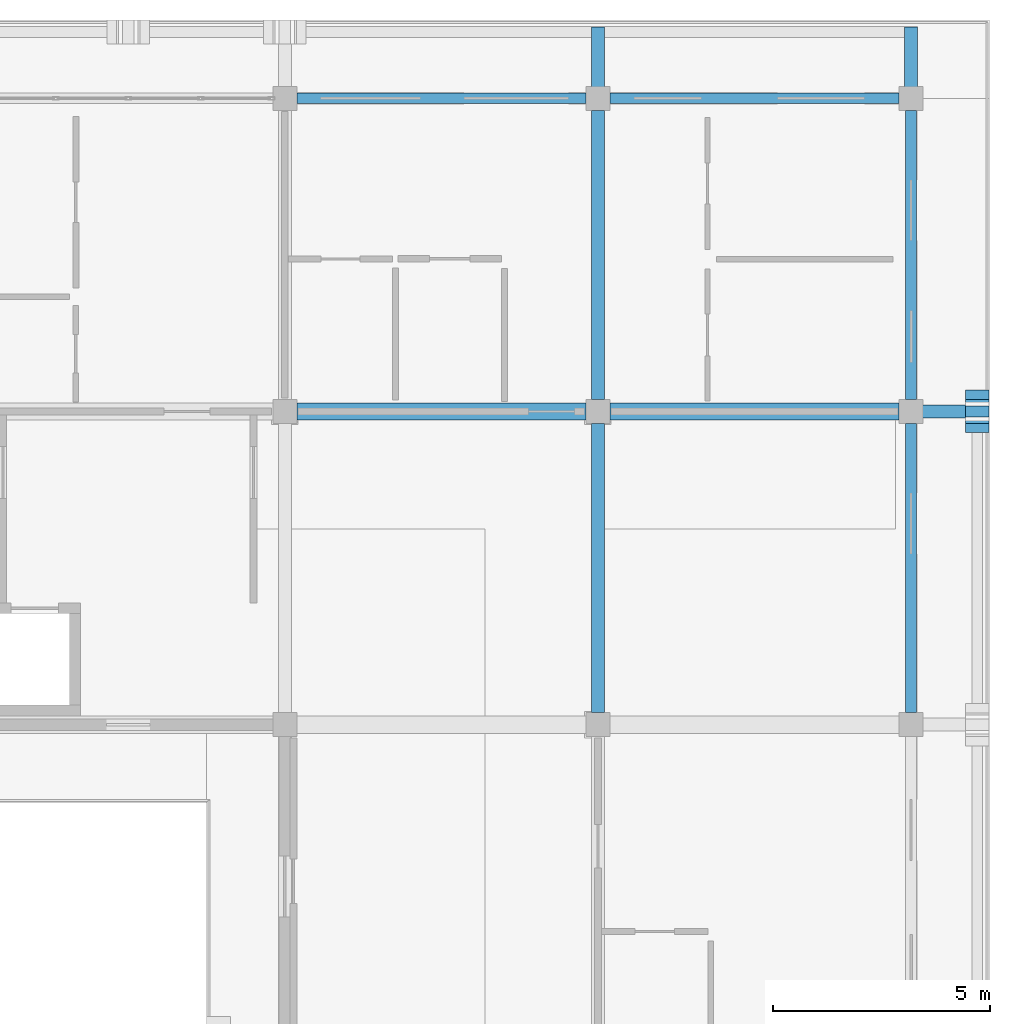
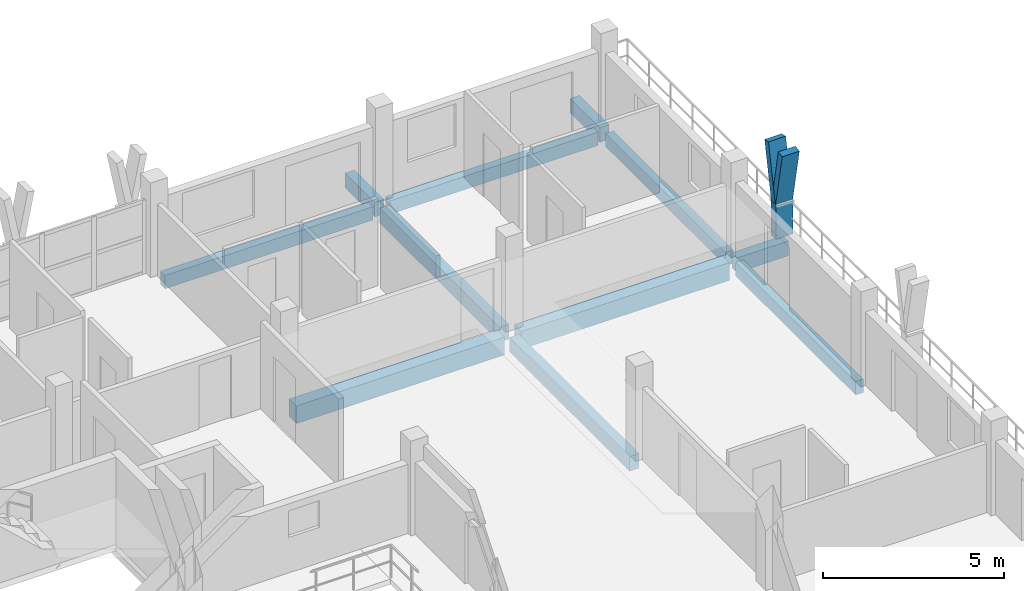
# One storey, part 28 of 65: 11 beams, 3 members.
"""IFC4 building model written with IfcOpenShell, lengths in metres."""

from ifc_helpers import new_model, si_unit, direction, frame, origin, origin_2d, place, context, subcontext, project, spatial, rectangle, extrude, material, material_profile, profile_set, type_object, element, save


model = new_model("IFC4")

# Units and contexts
model_context = context("Model", 3, precision=1e-05, world=origin(), true_north=direction((0.0, 1.0)))
body_context = subcontext(model_context, "Body", "Model", "MODEL_VIEW")
ifc_project = project(units=[si_unit("LENGTHUNIT", "METRE"), si_unit("AREAUNIT", "SQUARE_METRE"), si_unit("VOLUMEUNIT", "CUBIC_METRE"), si_unit("PLANEANGLEUNIT", "RADIAN"), si_unit("MASSUNIT", "GRAM", prefix="KILO")], contexts=[model_context])

# Site, building, storey
site_placement = place(None, origin())
site = spatial("IfcSite", under=ifc_project, at=site_placement, CompositionType="ELEMENT")
building_placement = place(site_placement, origin())
building = spatial("IfcBuilding", under=site, at=building_placement, Name="Suanplinth Sawtooth Commons", CompositionType="ELEMENT")
storey_placement = place(building_placement, frame((0.0, 0.0, 28.300048828125)))
storey = spatial("IfcBuildingStorey", under=building, at=storey_placement, Name="L08", CompositionType="ELEMENT", Elevation=28.300048828125)

# Beams
ifc_material_1 = material(Name="Precast concrete C40/50", Category="concrete")
ifc_material_profile_1 = material_profile(ifc_material_1, rectangle(XDim=0.39990234375, YDim=0.60009765625, at=origin_2d()), Name="PC-GDR 400x600")
ifc_profile_set_1 = profile_set([ifc_material_profile_1], Name="Precast concrete C40/50")
beam_type_1 = type_object("IfcBeamType", Name="B-05", PredefinedType="USERDEFINED", material=ifc_profile_set_1)
for number, where, z_axis, x_axis, name in (
    (1, (173.074951171875, 115.199951171875, -0.510009765625), (1.0, 0.0, 0.0), (0.0, 1.0, 0.0), "BMX-L08-B-24-16"),
    (2, (180.27490234375, 115.199951171875, -0.510009765625), (1.0, 0.0, 0.0), (0.0, 1.0, 0.0), "BMX-L08-B-25-16"),
):
    element("IfcBeam", number, at=place(storey_placement, frame(where, z_axis=z_axis, x_axis=x_axis)), inside=storey, type_object=beam_type_1, Name=name, ObjectType="GIRDER", PredefinedType="USERDEFINED", context=body_context, shape_type="SweptSolid", body=[
        extrude(rectangle(XDim=0.39990234375, YDim=0.60009765625, at=origin_2d()), origin(), (0.0, 0.0, 1.0), 6.650146484375),
    ])
ifc_material_profile_2 = material_profile(ifc_material_1, rectangle(XDim=0.300048828125, YDim=0.5, at=origin_2d()), Name="PC-BM 300x500")
ifc_profile_set_2 = profile_set([ifc_material_profile_2], Name="Precast concrete C40/50")
beam_type_2 = type_object("IfcBeamType", Name="B-07", PredefinedType="BEAM", material=ifc_profile_set_2)
beam_1_placement = place(storey_placement, frame((180.0, 108.27490234375, -0.4599609375), z_axis=(0.0, 1.0, 0.0), x_axis=(-1.0, 0.0, 0.0)))
element("IfcBeam", 3, at=beam_1_placement, inside=storey, type_object=beam_type_2, Name="BMY-L08-B-25-15", PredefinedType="BEAM", context=body_context, shape_type="SweptSolid", body=[
    extrude(rectangle(XDim=0.300048828125, YDim=0.5, at=origin_2d()), origin(), (0.0, 0.0, 1.0), 6.650146484375),
])
beam_2_placement = place(storey_placement, frame((180.0, 115.47509765625, -0.4599609375), z_axis=(0.0, 1.0, 0.0), x_axis=(-1.0, 0.0, 0.0)))
element("IfcBeam", 4, at=beam_2_placement, inside=storey, type_object=beam_type_2, Name="BMY-L08-B-25-16", PredefinedType="BEAM", context=body_context, shape_type="SweptSolid", body=[
    extrude(rectangle(XDim=0.300048828125, YDim=0.5, at=origin_2d()), origin(), (0.0, 0.0, 1.0), 6.64990234375),
])
for number, where, z_axis, x_axis, name in (
    (5, (180.0, 122.39990234375, -0.429931640625), (0.0, 1.0, 0.0), (-1.0, 0.0, 0.0), "Balcony Outrigger L08-B-N-25"),
    (6, (187.199951171875, 122.39990234375, -0.429931640625), (0.0, 1.0, 0.0), (-1.0, 0.0, 0.0), "Balcony Outrigger L08-B-N-26"),
    (7, (187.199951171875, 115.199951171875, -0.429931640625), (1.0, 0.0, 0.0), (0.0, 1.0, 0.0), "Balcony Outrigger L08-B-E-16"),
):
    element("IfcBeam", number, at=place(storey_placement, frame(where, z_axis=z_axis, x_axis=x_axis)), inside=storey, type_object=beam_type_2, Name=name, PredefinedType="BEAM", context=body_context, shape_type="SweptSolid", body=[
        extrude(rectangle(XDim=0.300048828125, YDim=0.5, at=origin_2d()), origin(), (0.0, 0.0, 1.0), 1.64013671875),
    ])
ifc_material_profile_3 = material_profile(ifc_material_1, rectangle(XDim=0.25, YDim=0.449951171875, at=origin_2d()), Name="PC-SP 250x450")
ifc_profile_set_3 = profile_set([ifc_material_profile_3], Name="Precast concrete C40/50")
beam_type_3 = type_object("IfcBeamType", Name="B-09", PredefinedType="SPANDREL", material=ifc_profile_set_3)
for number, where, z_axis, x_axis, name in (
    (8, (173.074951171875, 122.39990234375, -0.43505859375), (1.0, 0.0, 0.0), (0.0, 1.0, 0.0), "BMX-L08-B-24-17"),
    (9, (180.27490234375, 122.39990234375, -0.43505859375), (1.0, 0.0, 0.0), (0.0, 1.0, 0.0), "BMX-L08-B-25-17"),
    (10, (187.199951171875, 108.27490234375, -0.43505859375), (0.0, 1.0, 0.0), (-1.0, 0.0, 0.0), "BMY-L08-B-26-15"),
):
    element("IfcBeam", number, at=place(storey_placement, frame(where, z_axis=z_axis, x_axis=x_axis)), inside=storey, type_object=beam_type_3, Name=name, PredefinedType="SPANDREL", context=body_context, shape_type="SweptSolid", body=[
        extrude(rectangle(XDim=0.25, YDim=0.449951171875, at=origin_2d()), origin(), (0.0, 0.0, 1.0), 6.650146484375),
    ])
beam_3_placement = place(storey_placement, frame((187.199951171875, 115.47509765625, -0.43505859375), z_axis=(0.0, 1.0, 0.0), x_axis=(-1.0, 0.0, 0.0)))
element("IfcBeam", 11, at=beam_3_placement, inside=storey, type_object=beam_type_3, Name="BMY-L08-B-26-16", PredefinedType="SPANDREL", context=body_context, shape_type="SweptSolid", body=[
    extrude(rectangle(XDim=0.25, YDim=0.449951171875, at=origin_2d()), origin(), (0.0, 0.0, 1.0), 6.64990234375),
])

# Members
ifc_material_2 = material(Name="Pigmented precast concrete C40/50", Category="concrete")
ifc_material_profile_4 = material_profile(ifc_material_2, rectangle(XDim=0.260009765625, YDim=0.550048828125, at=origin_2d()), Name="PC-FIN 260x550")
ifc_profile_set_4 = profile_set([ifc_material_profile_4], Name="Pigmented precast concrete C40/50")
member_type_1 = type_object("IfcMemberType", Name="M-09", PredefinedType="USERDEFINED", material=ifc_profile_set_4)
member_1_placement = place(storey_placement, frame((188.719970703125, 115.199951171875, 0.0), z_axis=(0.0, 0.0, 1.0), x_axis=(0.0, 1.0, 0.0)))
element("IfcMember", 12, at=member_1_placement, inside=storey, type_object=member_type_1, Name="Y-Blade Stem L08-B-E-09", ObjectType="SHADING FIN", PredefinedType="USERDEFINED", context=body_context, shape_type="SweptSolid", body=[
    extrude(rectangle(XDim=0.260009765625, YDim=0.550048828125, at=origin_2d()), origin(), (0.0, 0.0, 1.0), 1.169921875),
])
ifc_material_profile_5 = material_profile(ifc_material_2, rectangle(XDim=0.219970703125, YDim=0.550048828125, at=origin_2d()), Name="PC-FIN 220x550")
ifc_profile_set_5 = profile_set([ifc_material_profile_5], Name="Pigmented precast concrete C40/50")
member_type_2 = type_object("IfcMemberType", Name="M-10", PredefinedType="USERDEFINED", material=ifc_profile_set_5)
member_2_placement = place(storey_placement, frame((188.719970703125, 115.199951171875, 1.1298828125), z_axis=(0.0, -0.196285728346, 0.980546741796), x_axis=(0.0, 0.980546741796, 0.196285728346)))
element("IfcMember", 13, at=member_2_placement, inside=storey, type_object=member_type_2, Name="Y-Blade Arm L L08-B-E-09", ObjectType="SHADING FIN", PredefinedType="USERDEFINED", context=body_context, shape_type="SweptSolid", body=[
    extrude(rectangle(XDim=0.219970703125, YDim=0.550048828125, at=origin_2d()), origin(), (0.0, 0.0, 1.0), 1.937744140625),
])
member_3_placement = place(storey_placement, frame((188.719970703125, 115.199951171875, 1.1298828125), z_axis=(0.0, 0.196406855569, 0.980522486782), x_axis=(0.0, -0.980522486782, 0.196406855569)))
element("IfcMember", 14, at=member_3_placement, inside=storey, type_object=member_type_2, Name="Y-Blade Arm R L08-B-E-09", ObjectType="SHADING FIN", PredefinedType="USERDEFINED", context=body_context, shape_type="SweptSolid", body=[
    extrude(rectangle(XDim=0.219970703125, YDim=0.550048828125, at=origin_2d()), origin(), (0.0, 0.0, 1.0), 1.93798828125),
])

save(model, "model.ifc")
